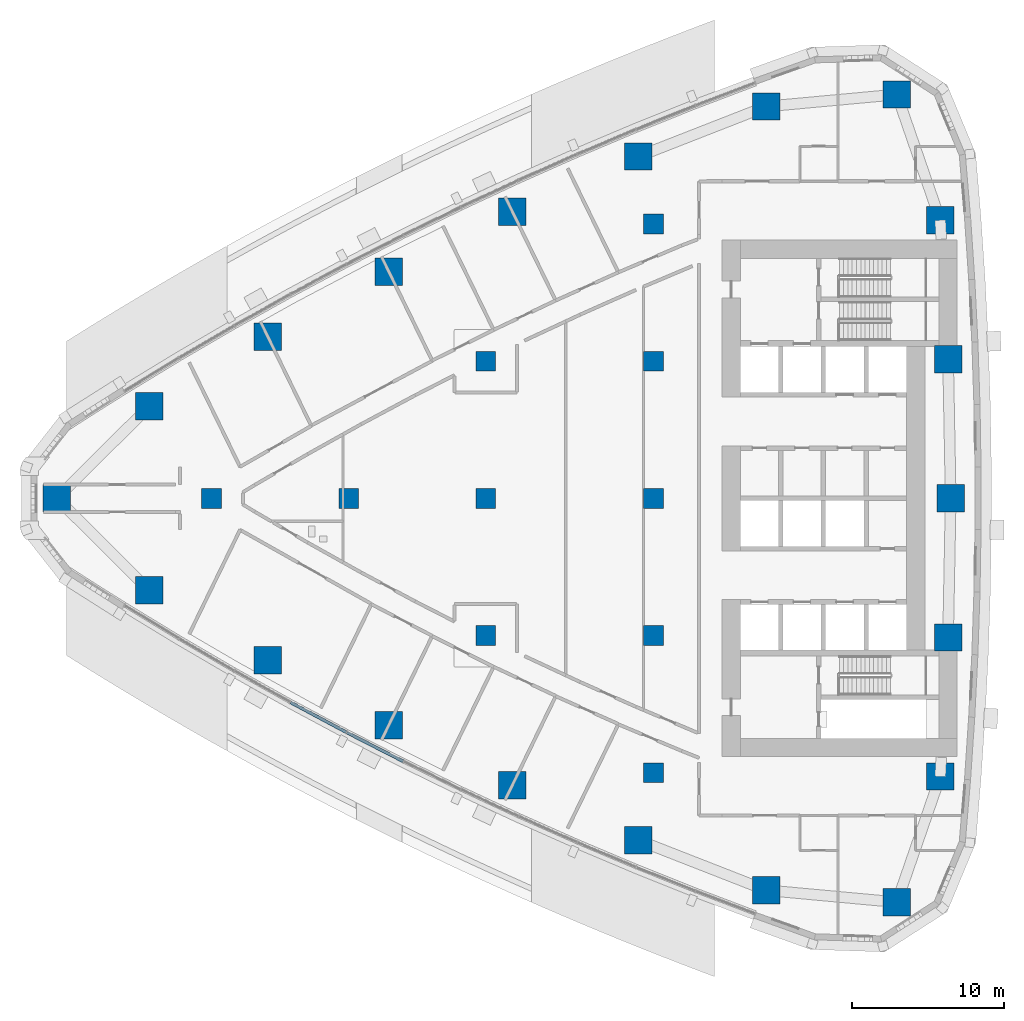
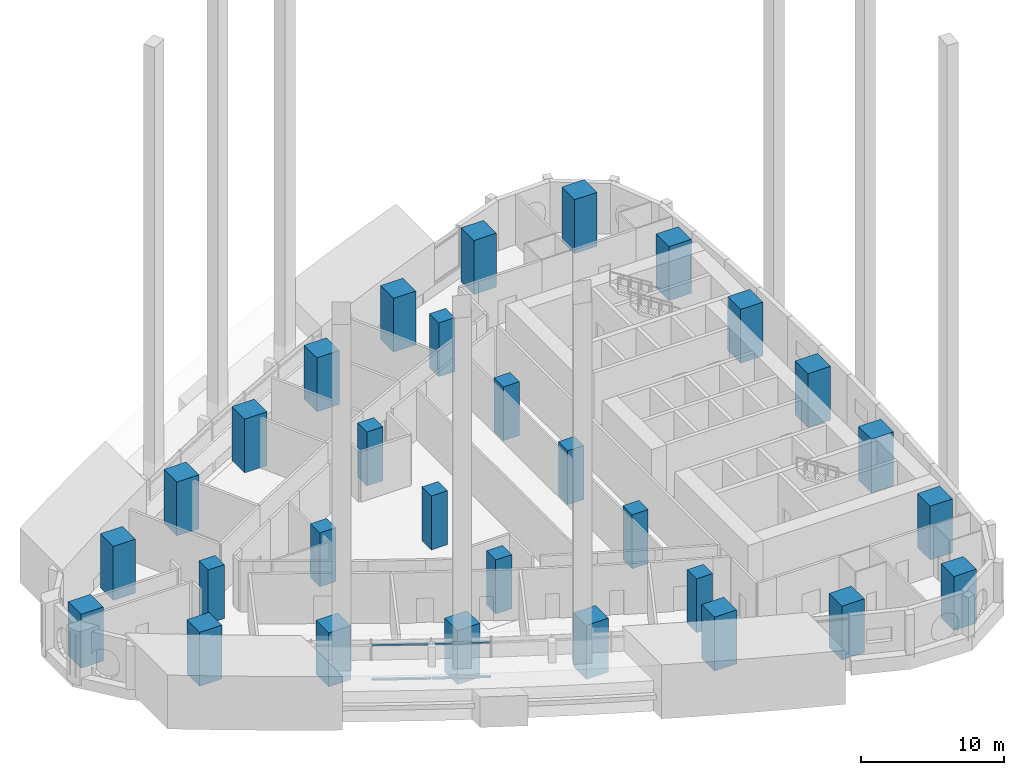
# One storey, part 1 of 20: 30 columns, 4 members, 1 element without a shape of its own.
"""IFC4 building model written with IfcOpenShell, lengths in metres."""

from ifc_helpers import new_model, si_unit, direction, frame, origin, origin_2d, place, context, subcontext, project, spatial, rectangle, extrude, material, layer, layer_set, material_profile, profile_set, type_object, element, aggregate, save


model = new_model("IFC4")

# Units and contexts
model_context = context("Model", 3, precision=1e-05, world=origin(), true_north=direction((0.0, 1.0)))
body_context = subcontext(model_context, "Body", "Model", "MODEL_VIEW")
ifc_project = project(units=[si_unit("LENGTHUNIT", "METRE"), si_unit("AREAUNIT", "SQUARE_METRE"), si_unit("VOLUMEUNIT", "CUBIC_METRE"), si_unit("PLANEANGLEUNIT", "RADIAN"), si_unit("MASSUNIT", "GRAM", prefix="KILO")], contexts=[model_context])

# Site, building, storey
site_placement = place(None, origin())
site = spatial("IfcSite", under=ifc_project, at=site_placement, CompositionType="ELEMENT")
building_placement = place(site_placement, origin())
building = spatial("IfcBuilding", under=site, at=building_placement, Name="Ostrand Prow Hotel Tower", CompositionType="ELEMENT")
storey_placement = place(building_placement, frame((0.0, 0.0, 35.0)))
storey = spatial("IfcBuildingStorey", under=building, at=storey_placement, Name="L06", CompositionType="ELEMENT", Elevation=35.0)

# Columns
ifc_material_1 = material(Name="Concrete C80/95", Category="concrete")
ifc_material_profile_1 = material_profile(ifc_material_1, rectangle(XDim=1.300048828125, YDim=1.300048828125, at=origin_2d()), Name="RC 1300x1300")
ifc_profile_set_1 = profile_set([ifc_material_profile_1], Name="Concrete C80/95")
column_type_1 = type_object("IfcColumnType", Name="Interior column 1300x1300 C80/95", PredefinedType="COLUMN", material=ifc_profile_set_1)
for number, where, z_axis, x_axis, name in (
    (1, (16.0, 0.0, 0.0), (0.0, 0.0, 1.0), (1.0, 0.0, 0.0), "Interior column 16C0"),
    (2, (25.0, 0.0, 0.0), (0.0, 0.0, 1.0), (1.0, 0.0, 0.0), "Interior column 25C0"),
    (3, (34.0, -9.0, 0.0), (0.0, 0.0, 1.0), (1.0, 0.0, 0.0), "Interior column 34S9"),
    (4, (34.0, 0.0, 0.0), (0.0, 0.0, 1.0), (1.0, 0.0, 0.0), "Interior column 34C0"),
    (5, (34.0, 9.0, 0.0), (0.0, 0.0, 1.0), (1.0, 0.0, 0.0), "Interior column 34N9"),
    (6, (45.0, -18.0, 0.0), (0.0, 0.0, 1.0), (1.0, 0.0, 0.0), "Interior column 45S18"),
    (7, (45.0, -9.0, 0.0), (0.0, 0.0, 1.0), (1.0, 0.0, 0.0), "Interior column 45S9"),
    (8, (45.0, 0.0, 0.0), (0.0, 0.0, 1.0), (1.0, 0.0, 0.0), "Interior column 45C0"),
    (9, (45.0, 9.0, 0.0), (0.0, 0.0, 1.0), (1.0, 0.0, 0.0), "Interior column 45N9"),
    (10, (45.0, 18.0, 0.0), (0.0, 0.0, 1.0), (1.0, 0.0, 0.0), "Interior column 45N18"),
):
    element("IfcColumn", number, at=place(storey_placement, frame(where, z_axis=z_axis, x_axis=x_axis)), inside=storey, type_object=column_type_1, Name=name, PredefinedType="COLUMN", context=body_context, shape_type="SweptSolid", body=[
        extrude(rectangle(XDim=1.300048828125, YDim=1.300048828125, at=origin_2d()), origin(), (0.0, 0.0, 1.0), 4.60009765625),
    ])
ifc_material_2 = material(Name="Concrete C80/95", Category="concrete")
ifc_material_profile_2 = material_profile(ifc_material_2, rectangle(XDim=1.800048828125, YDim=1.800048828125, at=origin_2d()), Name="RC 1800x1800")
ifc_profile_set_2 = profile_set([ifc_material_profile_2], Name="Concrete C80/95")
column_type_2 = type_object("IfcColumnType", Name="Stone-faced mega column 1800x1800 C80/95", PredefinedType="COLUMN", material=ifc_profile_set_2)
for number, where, z_axis, x_axis, name in (
    (11, (5.848388671875, 0.0, 0.0), (0.0, 0.0, 1.0), (1.0, 0.0, 0.0), "Mega column P"),
    (12, (11.926513671875, -6.0419921875, 0.0), (0.0, 0.0, 1.0), (1.0, 0.0, 0.0), "Mega column S1"),
    (13, (19.69287109375, -10.61474609375, 0.0), (0.0, 0.0, 1.0), (1.0, 0.0, 0.0), "Mega column S2"),
    (14, (27.635498046875, -14.874267578125, 0.0), (0.0, 0.0, 1.0), (1.0, 0.0, 0.0), "Mega column S3"),
    (15, (35.7412109375, -18.814208984375, 0.0), (0.0, 0.0, 1.0), (1.0, 0.0, 0.0), "Mega column S4"),
    (16, (43.997802734375, -22.427978515625, 0.0), (0.0, 0.0, 1.0), (1.0, 0.0, 0.0), "Mega column S5"),
    (17, (52.3916015625, -25.710205078125, 0.0), (0.0, 0.0, 1.0), (1.0, 0.0, 0.0), "Mega column S6"),
    (18, (60.966064453125, -26.49853515625, 0.0), (0.0, 0.0, 1.0), (1.0, 0.0, 0.0), "Mega column SE"),
    (19, (63.8134765625, -18.248779296875, 0.0), (0.0, 0.0, 1.0), (1.0, 0.0, 0.0), "Mega column B1"),
    (20, (64.328369140625, -9.130859375, 0.0), (0.0, 0.0, 1.0), (1.0, 0.0, 0.0), "Mega column B2"),
    (21, (64.5, 0.0, 0.0), (0.0, 0.0, 1.0), (1.0, 0.0, 0.0), "Mega column B3"),
    (22, (64.328369140625, 9.130859375, 0.0), (0.0, 0.0, 1.0), (1.0, 0.0, 0.0), "Mega column B4"),
    (23, (63.8134765625, 18.248779296875, 0.0), (0.0, 0.0, 1.0), (1.0, 0.0, 0.0), "Mega column B5"),
    (24, (60.966064453125, 26.49853515625, 0.0), (0.0, 0.0, 1.0), (1.0, 0.0, 0.0), "Mega column NE"),
    (25, (52.3916015625, 25.710205078125, 0.0), (0.0, 0.0, 1.0), (1.0, 0.0, 0.0), "Mega column N1"),
    (26, (43.997802734375, 22.427978515625, 0.0), (0.0, 0.0, 1.0), (1.0, 0.0, 0.0), "Mega column N2"),
    (27, (35.7412109375, 18.814208984375, 0.0), (0.0, 0.0, 1.0), (1.0, 0.0, 0.0), "Mega column N3"),
    (28, (27.635498046875, 14.874267578125, 0.0), (0.0, 0.0, 1.0), (1.0, 0.0, 0.0), "Mega column N4"),
    (29, (19.69287109375, 10.61474609375, 0.0), (0.0, 0.0, 1.0), (1.0, 0.0, 0.0), "Mega column N5"),
    (30, (11.926513671875, 6.0419921875, 0.0), (0.0, 0.0, 1.0), (1.0, 0.0, 0.0), "Mega column N6"),
):
    element("IfcColumn", number, at=place(storey_placement, frame(where, z_axis=z_axis, x_axis=x_axis)), inside=storey, type_object=column_type_2, Name=name, PredefinedType="COLUMN", context=body_context, shape_type="SweptSolid", body=[
        extrude(rectangle(XDim=1.800048828125, YDim=1.800048828125, at=origin_2d()), origin(), (0.0, 0.0, 1.0), 4.60009765625),
    ])

# Curtain wall, members
ifc_material_3 = material(Name="Insulated glass in bronze anodised frame", Category="glass")
ifc_layer = layer(ifc_material_3, 0.199951171875)
ifc_layer_set = layer_set([ifc_layer], Name="Insulated glass in bronze anodised frame")
curtain_wall_type = type_object("IfcCurtainWallType", Name="Sky lobby full-height curtain wall", PredefinedType="NOTDEFINED", material=ifc_layer_set)
curtain_wall_placement = place(storey_placement, origin())
curtain_wall = element("IfcCurtainWall", 31, at=curtain_wall_placement, inside=storey, type_object=curtain_wall_type, Name="CW3 run CWS2", PredefinedType="NOTDEFINED")
ifc_material_4 = material(Name="Bronze anodised aluminium", Category="aluminium")
ifc_material_profile_3 = material_profile(ifc_material_4, rectangle(XDim=0.199951171875, YDim=0.1201171875, at=origin_2d()), Name="Transom 120x200 bronze anodised aluminium")
ifc_profile_set_3 = profile_set([ifc_material_profile_3], Name="Bronze anodised aluminium")
member_type = type_object("IfcMemberType", Name="Transom 120x200 bronze anodised aluminium", PredefinedType="USERDEFINED", material=ifc_profile_set_3)
member_1_placement = place(storey_placement, frame((21.187255859375, -13.386962890625, 0.9599609375), z_axis=(0.881657241639, -0.471890356191, 0.0), x_axis=(0.471890356191, 0.881657241639, 0.0)))
member_1 = element("IfcMember", 32, at=member_1_placement, type_object=member_type, Name="CW3 transom 2.1", ObjectType="TRANSOM", PredefinedType="USERDEFINED", context=body_context, shape_type="SweptSolid", body=[
    extrude(rectangle(XDim=0.199951171875, YDim=0.1201171875, at=origin_2d()), origin(), (0.0, 0.0, 1.0), 4.13427734375),
])
member_2_placement = place(storey_placement, frame((21.187255859375, -13.386962890625, 3.89990234375), z_axis=(0.881657241639, -0.471890356191, 0.0), x_axis=(0.471890356191, 0.881657241639, 0.0)))
member_2 = element("IfcMember", 33, at=member_2_placement, type_object=member_type, Name="CW3 transom 2.2", ObjectType="TRANSOM", PredefinedType="USERDEFINED", context=body_context, shape_type="SweptSolid", body=[
    extrude(rectangle(XDim=0.199951171875, YDim=0.1201171875, at=origin_2d()), origin(), (0.0, 0.0, 1.0), 4.13427734375),
])
member_3_placement = place(storey_placement, frame((24.885498046875, -15.36572265625, 0.9599609375), z_axis=(0.890182999343, -0.455603147136, 0.0), x_axis=(0.455603147136, 0.890182999343, 0.0)))
member_3 = element("IfcMember", 34, at=member_3_placement, type_object=member_type, Name="CW3 transom 3.1", ObjectType="TRANSOM", PredefinedType="USERDEFINED", context=body_context, shape_type="SweptSolid", body=[
    extrude(rectangle(XDim=0.199951171875, YDim=0.1201171875, at=origin_2d()), origin(), (0.0, 0.0, 1.0), 4.13427734375),
])
member_4_placement = place(storey_placement, frame((24.885498046875, -15.36572265625, 3.89990234375), z_axis=(0.890182999343, -0.455603147136, 0.0), x_axis=(0.455603147136, 0.890182999343, 0.0)))
member_4 = element("IfcMember", 35, at=member_4_placement, type_object=member_type, Name="CW3 transom 3.2", ObjectType="TRANSOM", PredefinedType="USERDEFINED", context=body_context, shape_type="SweptSolid", body=[
    extrude(rectangle(XDim=0.199951171875, YDim=0.1201171875, at=origin_2d()), origin(), (0.0, 0.0, 1.0), 4.13427734375),
])
aggregate(curtain_wall, [member_1, member_2, member_3, member_4])

save(model, "model.ifc")
